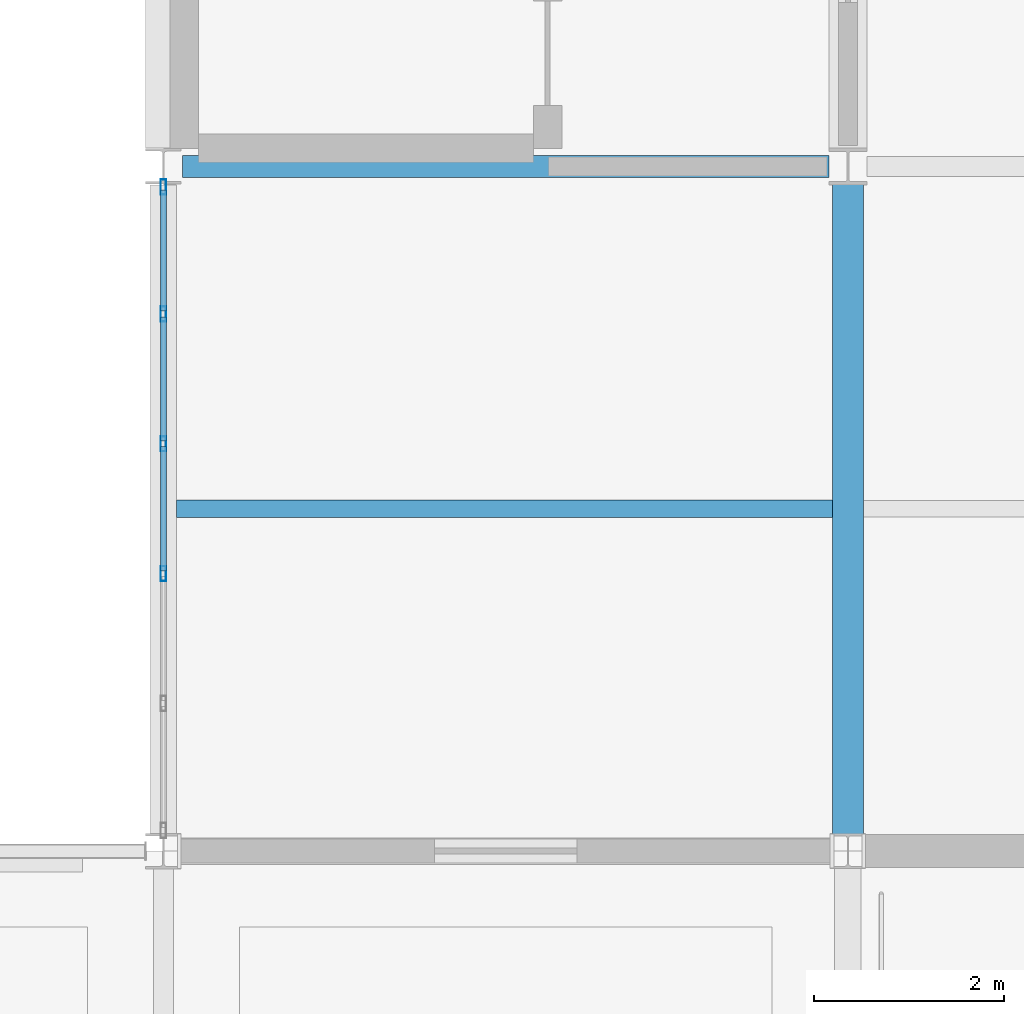
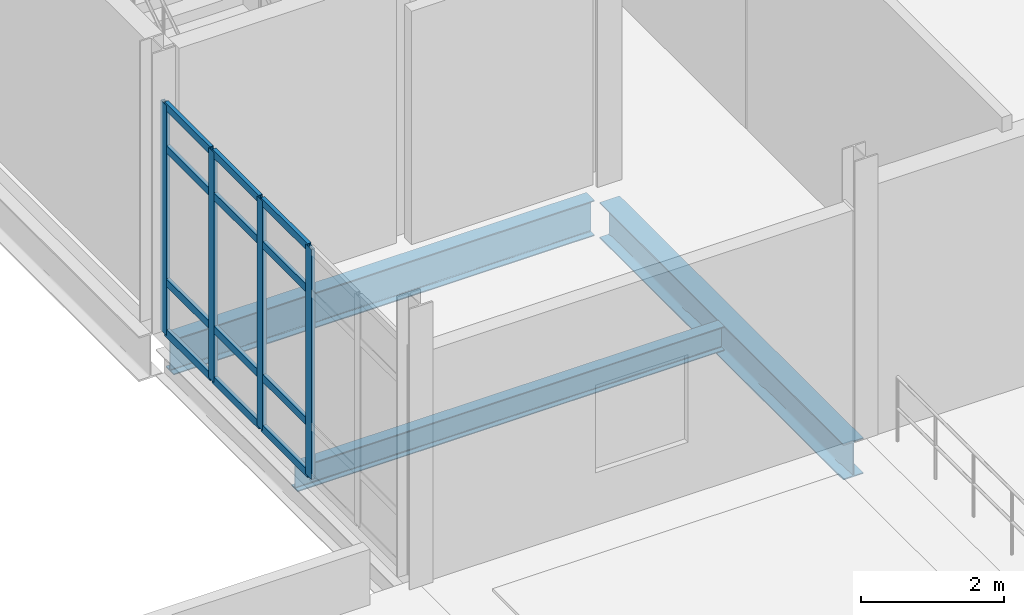
# One storey, part 41 of 153: 16 members, 3 beams, 1 element without a shape of its own.
"""IFC4 building model written with IfcOpenShell, lengths in metres."""

from ifc_helpers import new_model, si_unit, direction, frame, origin, origin_2d, place, context, subcontext, project, spatial, hollow_rectangle, i_section, extrude, material, layer, layer_set, material_profile, profile_set, type_object, element, aggregate, save


model = new_model("IFC4")

# Units and contexts
model_context = context("Model", 3, precision=1e-05, world=origin(), true_north=direction((0.0, 1.0)))
body_context = subcontext(model_context, "Body", "Model", "MODEL_VIEW")
ifc_project = project(units=[si_unit("LENGTHUNIT", "METRE"), si_unit("AREAUNIT", "SQUARE_METRE"), si_unit("VOLUMEUNIT", "CUBIC_METRE"), si_unit("PLANEANGLEUNIT", "RADIAN"), si_unit("MASSUNIT", "GRAM", prefix="KILO")], contexts=[model_context])

# Site, building, storey
site_placement = place(None, origin())
site = spatial("IfcSite", under=ifc_project, at=site_placement, CompositionType="ELEMENT")
building_placement = place(site_placement, origin())
building = spatial("IfcBuilding", under=site, at=building_placement, Name="Calvrana Isthmian Art Gallery", CompositionType="ELEMENT")
storey_placement = place(building_placement, frame((0.0, 0.0, 10.199951171875)))
storey = spatial("IfcBuildingStorey", under=building, at=storey_placement, Name="L02", CompositionType="ELEMENT", Elevation=10.199951171875)

# Beams
ifc_material_1 = material(Name="Steel ASTM A992 Gr 50", Category="steel")
ifc_material_profile_1 = material_profile(ifc_material_1, i_section(OverallWidth=0.324951171875, OverallDepth=0.612060546875, WebThickness=0.0126953125, FlangeThickness=0.01904296875, FilletRadius=0.02197265625, at=origin_2d()), Name="W24X104")
ifc_profile_set_1 = profile_set([ifc_material_profile_1], Name="Steel ASTM A992 Gr 50")
beam_type_1 = type_object("IfcBeamType", Name="BM-G-W24X104", PredefinedType="BEAM", material=ifc_profile_set_1)
beam_1_placement = place(storey_placement, frame((120.0, 14.58154296875, -0.571044921875), z_axis=(0.0, 1.0, 0.0), x_axis=(-1.0, 0.0, 0.0)))
element("IfcBeam", 1, at=beam_1_placement, inside=storey, type_object=beam_type_1, Name="Girder Y L02 16/C-D", PredefinedType="BEAM", context=body_context, shape_type="SweptSolid", body=[
    extrude(i_section(OverallWidth=0.324951171875, OverallDepth=0.612060546875, WebThickness=0.0126953125, FlangeThickness=0.01904296875, FilletRadius=0.02197265625, at=origin_2d()), origin(), (0.0, 0.0, 1.0), 6.827880859375),
])
ifc_material_profile_2 = material_profile(ifc_material_1, i_section(OverallWidth=0.22802734375, OverallDepth=0.60693359375, WebThickness=0.01123046875, FlangeThickness=0.017333984375, FilletRadius=0.02197265625, at=origin_2d()), Name="W24X76")
ifc_profile_set_2 = profile_set([ifc_material_profile_2], Name="Steel ASTM A992 Gr 50")
beam_type_2 = type_object("IfcBeamType", Name="BM-G-W24X76", PredefinedType="BEAM", material=ifc_profile_set_2)
beam_2_placement = place(storey_placement, frame((112.99951171875, 21.60009765625, -0.568359375), z_axis=(1.0, 0.0, 0.0), x_axis=(0.0, 1.0, 0.0)))
element("IfcBeam", 2, at=beam_2_placement, inside=storey, type_object=beam_type_2, Name="Girder X L02 15-16/D", PredefinedType="BEAM", context=body_context, shape_type="SweptSolid", body=[
    extrude(i_section(OverallWidth=0.22802734375, OverallDepth=0.60693359375, WebThickness=0.01123046875, FlangeThickness=0.017333984375, FilletRadius=0.02197265625, at=origin_2d()), origin(), (0.0, 0.0, 1.0), 6.802490234375),
])
ifc_material_profile_3 = material_profile(ifc_material_1, i_section(OverallWidth=0.179931640625, OverallDepth=0.4140625, WebThickness=0.009765625, FlangeThickness=0.01611328125, FilletRadius=0.01806640625, at=origin_2d()), Name="W16X50")
ifc_profile_set_3 = profile_set([ifc_material_profile_3], Name="Steel ASTM A992 Gr 50")
beam_type_3 = type_object("IfcBeamType", Name="BM-J-W16X50", PredefinedType="JOIST", material=ifc_profile_set_3)
beam_3_placement = place(storey_placement, frame((112.939453125, 18.0, -0.471923828125), z_axis=(1.0, 0.0, 0.0), x_axis=(0.0, 1.0, 0.0)))
element("IfcBeam", 3, at=beam_3_placement, inside=storey, type_object=beam_type_3, Name="Composite joist L02 bay 14-02", PredefinedType="JOIST", context=body_context, shape_type="SweptSolid", body=[
    extrude(i_section(OverallWidth=0.179931640625, OverallDepth=0.4140625, WebThickness=0.009765625, FlangeThickness=0.01611328125, FilletRadius=0.01806640625, at=origin_2d()), origin(), (0.0, 0.0, 1.0), 6.89794921875),
])

# Curtain wall, members
ifc_material_2 = material(Name="Anodized bronze aluminium 6063-T6", Category="aluminium")
ifc_layer = layer(ifc_material_2, 0.179931640625, Name="Anodized bronze aluminium 6063-T6")
ifc_layer_set = layer_set([ifc_layer], Name="Anodized bronze aluminium 6063-T6")
curtain_wall_type = type_object("IfcCurtainWallType", Name="CW-STICK-068X39", PredefinedType="NOTDEFINED", material=ifc_layer_set)
curtain_wall_placement = place(storey_placement, origin())
curtain_wall = element("IfcCurtainWall", 4, at=curtain_wall_placement, inside=storey, type_object=curtain_wall_type, Name="Curtain wall CW-181", PredefinedType="NOTDEFINED")
ifc_material_profile_4 = material_profile(ifc_material_2, hollow_rectangle(XDim=0.06005859375, YDim=0.159912109375, WallThickness=0.00390625, at=origin_2d()), Name="CWM60X160")
ifc_profile_set_4 = profile_set([ifc_material_profile_4], Name="Anodized bronze aluminium 6063-T6")
member_type_1 = type_object("IfcMemberType", Name="CWM-CWM60X160", PredefinedType="MULLION", material=ifc_profile_set_4)
member_1_placement = place(storey_placement, frame((112.800048828125, 17.3173828125, 0.0), z_axis=(0.0, 0.0, 1.0), x_axis=(-1.0, 0.0, 0.0)))
member_1 = element("IfcMember", 5, at=member_1_placement, type_object=member_type_1, Name="CW-181 mullion 3", PredefinedType="MULLION", context=body_context, shape_type="SweptSolid", body=[
    extrude(hollow_rectangle(XDim=0.06005859375, YDim=0.159912109375, WallThickness=0.00390625, at=origin_2d()), origin(), (0.0, 0.0, 1.0), 3.927978515625),
])
member_2_placement = place(storey_placement, frame((112.800048828125, 18.6826171875, 0.0), z_axis=(0.0, 0.0, 1.0), x_axis=(-1.0, 0.0, 0.0)))
member_2 = element("IfcMember", 6, at=member_2_placement, type_object=member_type_1, Name="CW-181 mullion 4", PredefinedType="MULLION", context=body_context, shape_type="SweptSolid", body=[
    extrude(hollow_rectangle(XDim=0.06005859375, YDim=0.159912109375, WallThickness=0.00390625, at=origin_2d()), origin(), (0.0, 0.0, 1.0), 3.927978515625),
])
member_3_placement = place(storey_placement, frame((112.800048828125, 20.048095703125, 0.0), z_axis=(0.0, 0.0, 1.0), x_axis=(-1.0, 0.0, 0.0)))
member_3 = element("IfcMember", 7, at=member_3_placement, type_object=member_type_1, Name="CW-181 mullion 5", PredefinedType="MULLION", context=body_context, shape_type="SweptSolid", body=[
    extrude(hollow_rectangle(XDim=0.06005859375, YDim=0.159912109375, WallThickness=0.00390625, at=origin_2d()), origin(), (0.0, 0.0, 1.0), 3.927978515625),
])
member_4_placement = place(storey_placement, frame((112.800048828125, 21.383544921875, 0.0), z_axis=(0.0, 0.0, 1.0), x_axis=(-1.0, 0.0, 0.0)))
member_4 = element("IfcMember", 8, at=member_4_placement, type_object=member_type_1, Name="CW-181 mullion 6", PredefinedType="MULLION", context=body_context, shape_type="SweptSolid", body=[
    extrude(hollow_rectangle(XDim=0.06005859375, YDim=0.159912109375, WallThickness=0.00390625, at=origin_2d()), origin(), (0.0, 0.0, 1.0), 3.927978515625),
])
ifc_material_profile_5 = material_profile(ifc_material_2, hollow_rectangle(XDim=0.06005859375, YDim=0.1298828125, WallThickness=0.00390625, at=origin_2d()), Name="CWT60X130")
ifc_profile_set_5 = profile_set([ifc_material_profile_5], Name="Anodized bronze aluminium 6063-T6")
member_type_2 = type_object("IfcMemberType", Name="CWT-CWT60X130", PredefinedType="USERDEFINED", material=ifc_profile_set_5)
member_5_placement = place(storey_placement, frame((112.800048828125, 17.347412109375, 0.030029296875), z_axis=(0.0, 1.0, 0.0), x_axis=(-1.0, 0.0, 0.0)))
member_5 = element("IfcMember", 9, at=member_5_placement, type_object=member_type_2, Name="CW-181 transom 3.1", ObjectType="TRANSOM", PredefinedType="USERDEFINED", context=body_context, shape_type="SweptSolid", body=[
    extrude(hollow_rectangle(XDim=0.06005859375, YDim=0.1298828125, WallThickness=0.00390625, at=origin_2d()), origin(), (0.0, 0.0, 1.0), 1.30517578125),
])
member_6_placement = place(storey_placement, frame((112.800048828125, 17.347412109375, 0.900146484375), z_axis=(0.0, 1.0, 0.0), x_axis=(-1.0, 0.0, 0.0)))
member_6 = element("IfcMember", 10, at=member_6_placement, type_object=member_type_2, Name="CW-181 transom 3.2", ObjectType="TRANSOM", PredefinedType="USERDEFINED", context=body_context, shape_type="SweptSolid", body=[
    extrude(hollow_rectangle(XDim=0.06005859375, YDim=0.1298828125, WallThickness=0.00390625, at=origin_2d()), origin(), (0.0, 0.0, 1.0), 1.30517578125),
])
member_7_placement = place(storey_placement, frame((112.800048828125, 17.347412109375, 3.177978515625), z_axis=(0.0, 1.0, 0.0), x_axis=(-1.0, 0.0, 0.0)))
member_7 = element("IfcMember", 11, at=member_7_placement, type_object=member_type_2, Name="CW-181 transom 3.3", ObjectType="TRANSOM", PredefinedType="USERDEFINED", context=body_context, shape_type="SweptSolid", body=[
    extrude(hollow_rectangle(XDim=0.06005859375, YDim=0.1298828125, WallThickness=0.00390625, at=origin_2d()), origin(), (0.0, 0.0, 1.0), 1.30517578125),
])
member_8_placement = place(storey_placement, frame((112.800048828125, 17.347412109375, 3.89794921875), z_axis=(0.0, 1.0, 0.0), x_axis=(-1.0, 0.0, 0.0)))
member_8 = element("IfcMember", 12, at=member_8_placement, type_object=member_type_2, Name="CW-181 transom 3.4", ObjectType="TRANSOM", PredefinedType="USERDEFINED", context=body_context, shape_type="SweptSolid", body=[
    extrude(hollow_rectangle(XDim=0.06005859375, YDim=0.1298828125, WallThickness=0.00390625, at=origin_2d()), origin(), (0.0, 0.0, 1.0), 1.30517578125),
])
member_9_placement = place(storey_placement, frame((112.800048828125, 18.712646484375, 0.030029296875), z_axis=(0.0, 1.0, 0.0), x_axis=(-1.0, 0.0, 0.0)))
member_9 = element("IfcMember", 13, at=member_9_placement, type_object=member_type_2, Name="CW-181 transom 4.1", ObjectType="TRANSOM", PredefinedType="USERDEFINED", context=body_context, shape_type="SweptSolid", body=[
    extrude(hollow_rectangle(XDim=0.06005859375, YDim=0.1298828125, WallThickness=0.00390625, at=origin_2d()), origin(), (0.0, 0.0, 1.0), 1.305419921875),
])
member_10_placement = place(storey_placement, frame((112.800048828125, 18.712646484375, 0.900146484375), z_axis=(0.0, 1.0, 0.0), x_axis=(-1.0, 0.0, 0.0)))
member_10 = element("IfcMember", 14, at=member_10_placement, type_object=member_type_2, Name="CW-181 transom 4.2", ObjectType="TRANSOM", PredefinedType="USERDEFINED", context=body_context, shape_type="SweptSolid", body=[
    extrude(hollow_rectangle(XDim=0.06005859375, YDim=0.1298828125, WallThickness=0.00390625, at=origin_2d()), origin(), (0.0, 0.0, 1.0), 1.305419921875),
])
member_11_placement = place(storey_placement, frame((112.800048828125, 18.712646484375, 3.177978515625), z_axis=(0.0, 1.0, 0.0), x_axis=(-1.0, 0.0, 0.0)))
member_11 = element("IfcMember", 15, at=member_11_placement, type_object=member_type_2, Name="CW-181 transom 4.3", ObjectType="TRANSOM", PredefinedType="USERDEFINED", context=body_context, shape_type="SweptSolid", body=[
    extrude(hollow_rectangle(XDim=0.06005859375, YDim=0.1298828125, WallThickness=0.00390625, at=origin_2d()), origin(), (0.0, 0.0, 1.0), 1.305419921875),
])
member_12_placement = place(storey_placement, frame((112.800048828125, 18.712646484375, 3.89794921875), z_axis=(0.0, 1.0, 0.0), x_axis=(-1.0, 0.0, 0.0)))
member_12 = element("IfcMember", 16, at=member_12_placement, type_object=member_type_2, Name="CW-181 transom 4.4", ObjectType="TRANSOM", PredefinedType="USERDEFINED", context=body_context, shape_type="SweptSolid", body=[
    extrude(hollow_rectangle(XDim=0.06005859375, YDim=0.1298828125, WallThickness=0.00390625, at=origin_2d()), origin(), (0.0, 0.0, 1.0), 1.305419921875),
])
member_13_placement = place(storey_placement, frame((112.800048828125, 20.078125, 0.030029296875), z_axis=(0.0, 1.0, 0.0), x_axis=(-1.0, 0.0, 0.0)))
member_13 = element("IfcMember", 17, at=member_13_placement, type_object=member_type_2, Name="CW-181 transom 5.1", ObjectType="TRANSOM", PredefinedType="USERDEFINED", context=body_context, shape_type="SweptSolid", body=[
    extrude(hollow_rectangle(XDim=0.06005859375, YDim=0.1298828125, WallThickness=0.00390625, at=origin_2d()), origin(), (0.0, 0.0, 1.0), 1.275390625),
])
member_14_placement = place(storey_placement, frame((112.800048828125, 20.078125, 0.900146484375), z_axis=(0.0, 1.0, 0.0), x_axis=(-1.0, 0.0, 0.0)))
member_14 = element("IfcMember", 18, at=member_14_placement, type_object=member_type_2, Name="CW-181 transom 5.2", ObjectType="TRANSOM", PredefinedType="USERDEFINED", context=body_context, shape_type="SweptSolid", body=[
    extrude(hollow_rectangle(XDim=0.06005859375, YDim=0.1298828125, WallThickness=0.00390625, at=origin_2d()), origin(), (0.0, 0.0, 1.0), 1.275390625),
])
member_15_placement = place(storey_placement, frame((112.800048828125, 20.078125, 3.177978515625), z_axis=(0.0, 1.0, 0.0), x_axis=(-1.0, 0.0, 0.0)))
member_15 = element("IfcMember", 19, at=member_15_placement, type_object=member_type_2, Name="CW-181 transom 5.3", ObjectType="TRANSOM", PredefinedType="USERDEFINED", context=body_context, shape_type="SweptSolid", body=[
    extrude(hollow_rectangle(XDim=0.06005859375, YDim=0.1298828125, WallThickness=0.00390625, at=origin_2d()), origin(), (0.0, 0.0, 1.0), 1.275390625),
])
member_16_placement = place(storey_placement, frame((112.800048828125, 20.078125, 3.89794921875), z_axis=(0.0, 1.0, 0.0), x_axis=(-1.0, 0.0, 0.0)))
member_16 = element("IfcMember", 20, at=member_16_placement, type_object=member_type_2, Name="CW-181 transom 5.4", ObjectType="TRANSOM", PredefinedType="USERDEFINED", context=body_context, shape_type="SweptSolid", body=[
    extrude(hollow_rectangle(XDim=0.06005859375, YDim=0.1298828125, WallThickness=0.00390625, at=origin_2d()), origin(), (0.0, 0.0, 1.0), 1.275390625),
])
aggregate(curtain_wall, [member_1, member_2, member_3, member_4, member_5, member_6, member_7, member_8, member_9, member_10, member_11, member_12, member_13, member_14, member_15, member_16])

save(model, "model.ifc")
